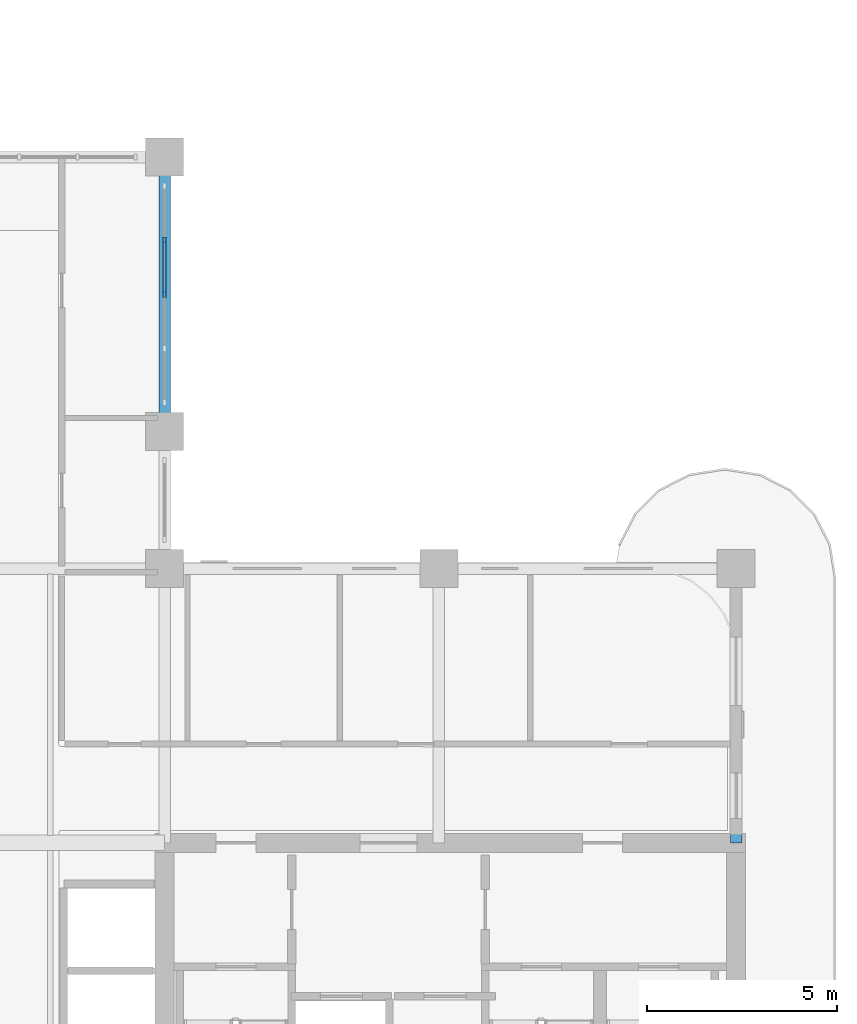
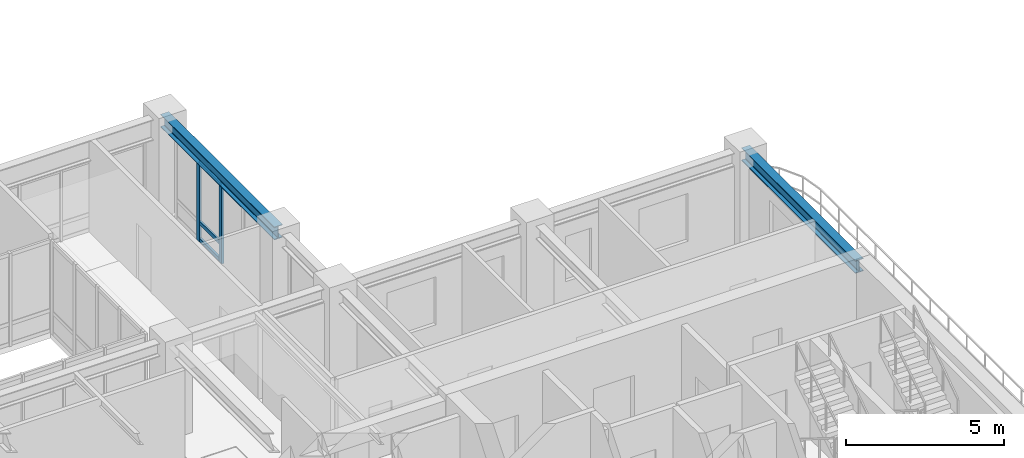
# One storey, part 4 of 20: 5 members, 2 beams, 1 element without a shape of its own.
"""IFC4 building model written with IfcOpenShell, lengths in metres."""

from ifc_helpers import new_model, si_unit, derived_unit, direction, frame, origin, origin_2d, place, context, subcontext, project, spatial, rectangle, i_section, extrude, source, transform, mapped, material, layer, layer_set, material_profile, profile_set, type_object, type_shapes, element, aggregate, save


model = new_model("IFC4")

# Units and contexts
model_context = context("Model", 3, precision=1e-05, world=origin(), true_north=direction((0.0, 1.0)))
body_context = subcontext(model_context, "Body", "Model", "MODEL_VIEW")
ifc_project = project(units=[si_unit("LENGTHUNIT", "METRE"), si_unit("AREAUNIT", "SQUARE_METRE"), si_unit("VOLUMEUNIT", "CUBIC_METRE"), si_unit("PLANEANGLEUNIT", "RADIAN"), si_unit("MASSUNIT", "GRAM", prefix="KILO"), si_unit("THERMODYNAMICTEMPERATUREUNIT", "KELVIN"), si_unit("POWERUNIT", "WATT"), derived_unit("THERMALTRANSMITTANCEUNIT", [(si_unit("POWERUNIT", "WATT"), 1), (si_unit("AREAUNIT", "SQUARE_METRE"), -1), (si_unit("THERMODYNAMICTEMPERATUREUNIT", "KELVIN"), -1)])], contexts=[model_context])

# Site, building, storey
site_placement = place(None, origin())
site = spatial("IfcSite", under=ifc_project, at=site_placement, CompositionType="ELEMENT")
building_placement = place(site_placement, origin())
building = spatial("IfcBuilding", under=site, at=building_placement, Name="Zahravan Archway Hotel and Residences", CompositionType="ELEMENT")
storey_placement = place(building_placement, frame((0.0, 0.0, 154.14990234375)))
storey = spatial("IfcBuildingStorey", under=building, at=storey_placement, Name="L38", CompositionType="ELEMENT", Elevation=154.14990234375)

# Beams
ifc_material_1 = material(Name="Structural Steel S355JR", Category="steel")
ifc_material_profile_1 = material_profile(ifc_material_1, i_section(OverallWidth=0.300048828125, OverallDepth=0.5, WebThickness=0.014404296875, FlangeThickness=0.028076171875, FilletRadius=0.027099609375, at=origin_2d()), Name="HEB 500", Category="steel")
ifc_profile_set_1 = profile_set([ifc_material_profile_1], Name="Structural Steel S355JR")
beam_type = type_object("IfcBeamType", Name="BM-PRI-HEB500", PredefinedType="BEAM", material=ifc_profile_set_1)
shared_shape_1 = source(origin(), body_context, "Body", "SweptSolid", [
    extrude(i_section(OverallWidth=0.300048828125, OverallDepth=0.5, WebThickness=0.014404296875, FlangeThickness=0.028076171875, FilletRadius=0.027099609375, at=origin_2d()), origin(), (0.0, 0.0, 1.0), 7.2001953125),
])
type_shapes(beam_type, [shared_shape_1])
beam_1_placement = place(storey_placement, frame((49.800048828125, 14.39990234375, 3.35009765625), z_axis=(0.0, 1.0, 0.0), x_axis=(-1.0, 0.0, 0.0)))
element("IfcBeam", 1, at=beam_1_placement, inside=storey, type_object=beam_type, Name="L38 Primary Girder NS-45", PredefinedType="BEAM", context=body_context, shape_type="MappedRepresentation", body=[
    mapped(shared_shape_1, transform((0.0, 0.0, 0.0), scale=1.0)),
])
shared_shape_2 = source(origin(), body_context, "Body", "SweptSolid", [
    extrude(i_section(OverallWidth=0.300048828125, OverallDepth=0.5, WebThickness=0.014404296875, FlangeThickness=0.028076171875, FilletRadius=0.027099609375, at=origin_2d()), origin(), (0.0, 0.0, 1.0), 7.199951171875),
])
beam_2_placement = place(storey_placement, frame((34.800048828125, 25.199951171875, 3.35009765625), z_axis=(0.0, 1.0, 0.0), x_axis=(-1.0, 0.0, 0.0)))
element("IfcBeam", 2, at=beam_2_placement, inside=storey, type_object=beam_type, Name="L38 Primary Girder NS-43", PredefinedType="BEAM", context=body_context, shape_type="MappedRepresentation", body=[
    mapped(shared_shape_2, transform((0.0, 0.0, 0.0), scale=1.0)),
])

# Curtain wall, members
ifc_material_2 = material(Name="Bronze-Anodized Unitised Aluminium & Low-E Glass", Category="aluminium")
ifc_layer = layer(ifc_material_2, 0.179931640625, Name="Bronze-Anodized Unitised Aluminium & Low-E Glass", Category="aluminium")
ifc_layer_set = layer_set([ifc_layer], Name="Bronze-Anodized Unitised Aluminium & Low-E Glass")
curtain_wall_type = type_object("IfcCurtainWallType", Name="CW-ATR-GLAZ", PredefinedType="NOTDEFINED", material=ifc_layer_set)
curtain_wall_placement = place(storey_placement, origin())
curtain_wall = element("IfcCurtainWall", 3, at=curtain_wall_placement, inside=storey, type_object=curtain_wall_type, Name="L38 Curtain Wall CW-L38-HNG-E-2", PredefinedType="NOTDEFINED")
ifc_material_3 = material(Name="Bronze-Anodized Extruded Aluminium", Category="aluminium")
ifc_material_profile_2 = material_profile(ifc_material_3, rectangle(XDim=0.080078125, YDim=0.139892578125, at=origin_2d()), Name="TRN 80x140", Category="aluminium")
ifc_profile_set_2 = profile_set([ifc_material_profile_2], Name="Bronze-Anodized Extruded Aluminium")
member_type_1 = type_object("IfcMemberType", Name="CWM-TRN-140", PredefinedType="USERDEFINED", material=ifc_profile_set_2)
shared_shape_3 = source(origin(), body_context, "Body", "SweptSolid", [
    extrude(rectangle(XDim=0.080078125, YDim=0.139892578125, at=origin_2d()), origin(), (0.0, 0.0, 1.0), 1.33984375),
])
member_1_placement = place(storey_placement, frame((34.800048828125, 28.840087890625, 0.070068359375), z_axis=(0.0, 1.0, 0.0), x_axis=(-1.0, 0.0, 0.0)))
member_1 = element("IfcMember", 4, at=member_1_placement, type_object=member_type_1, Name="CW-L38-HNG-E-2 Transom 2-1", ObjectType="TRANSOM", PredefinedType="USERDEFINED", context=body_context, shape_type="MappedRepresentation", body=[
    mapped(shared_shape_3, transform((0.0, 0.0, 0.0), scale=1.0)),
])
member_2_placement = place(storey_placement, frame((34.800048828125, 28.840087890625, 0.740478515625), z_axis=(0.0, 1.0, 0.0), x_axis=(-1.0, 0.0, 0.0)))
member_2 = element("IfcMember", 5, at=member_2_placement, type_object=member_type_1, Name="CW-L38-HNG-E-2 Transom 2-2", ObjectType="TRANSOM", PredefinedType="USERDEFINED", context=body_context, shape_type="MappedRepresentation", body=[
    mapped(shared_shape_3, transform((0.0, 0.0, 0.0), scale=1.0)),
])
member_3_placement = place(storey_placement, frame((34.800048828125, 28.840087890625, 3.01513671875), z_axis=(0.0, 1.0, 0.0), x_axis=(-1.0, 0.0, 0.0)))
member_3 = element("IfcMember", 6, at=member_3_placement, type_object=member_type_1, Name="CW-L38-HNG-E-2 Transom 2-3", ObjectType="TRANSOM", PredefinedType="USERDEFINED", context=body_context, shape_type="MappedRepresentation", body=[
    mapped(shared_shape_3, transform((0.0, 0.0, 0.0), scale=1.0)),
])
ifc_material_profile_3 = material_profile(ifc_material_3, rectangle(XDim=0.080078125, YDim=0.159912109375, at=origin_2d()), Name="MUL 80x160", Category="aluminium")
ifc_profile_set_3 = profile_set([ifc_material_profile_3], Name="Bronze-Anodized Extruded Aluminium")
member_type_2 = type_object("IfcMemberType", Name="CWM-MUL-160", PredefinedType="MULLION", material=ifc_profile_set_3)
shared_shape_4 = source(origin(), body_context, "Body", "SweptSolid", [
    extrude(rectangle(XDim=0.080078125, YDim=0.159912109375, at=origin_2d()), origin(), (0.0, 0.0, 1.0), 3.085205078125),
])
member_4_placement = place(storey_placement, frame((34.800048828125, 28.800048828125, 0.0), z_axis=(0.0, 0.0, 1.0), x_axis=(1.0, 0.0, 0.0)))
member_4 = element("IfcMember", 7, at=member_4_placement, type_object=member_type_2, Name="CW-L38-HNG-E-2 Mullion 2", PredefinedType="MULLION", context=body_context, shape_type="MappedRepresentation", body=[
    mapped(shared_shape_4, transform((0.0, 0.0, 0.0), scale=1.0)),
])
member_5_placement = place(storey_placement, frame((34.800048828125, 30.219970703125, 0.0), z_axis=(0.0, 0.0, 1.0), x_axis=(1.0, 0.0, 0.0)))
member_5 = element("IfcMember", 8, at=member_5_placement, type_object=member_type_2, Name="CW-L38-HNG-E-2 Mullion 3", PredefinedType="MULLION", context=body_context, shape_type="MappedRepresentation", body=[
    mapped(shared_shape_4, transform((0.0, 0.0, 0.0), scale=1.0)),
])
aggregate(curtain_wall, [member_4, member_5, member_1, member_2, member_3])

save(model, "model.ifc")
